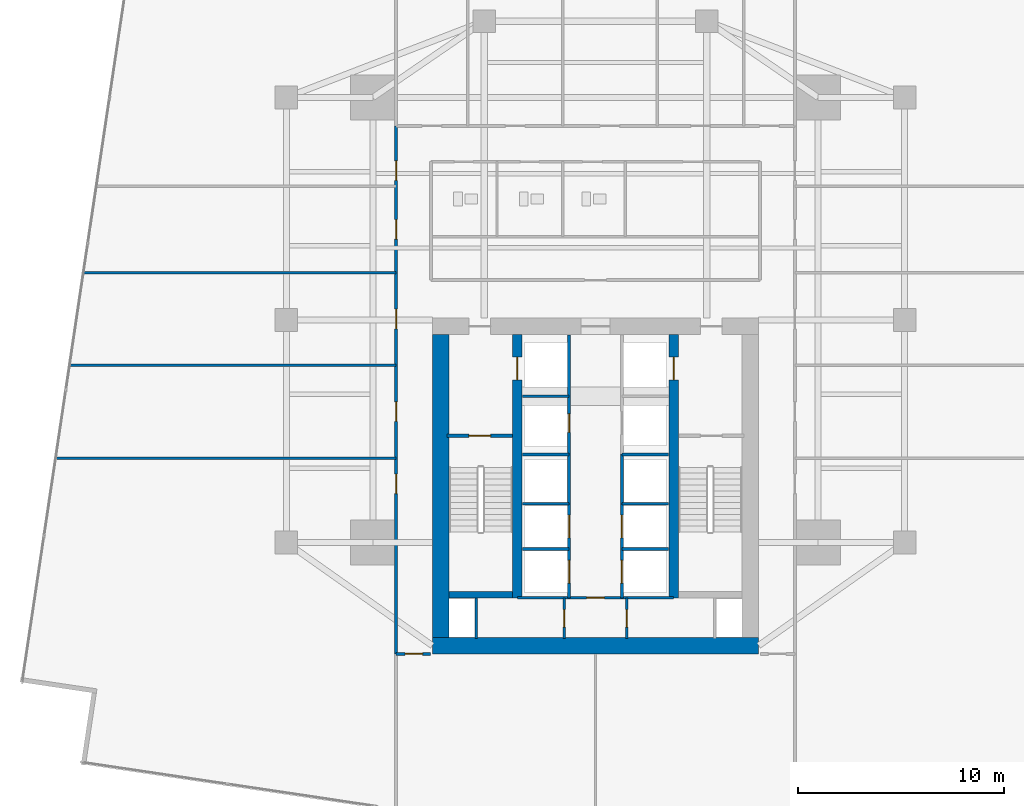
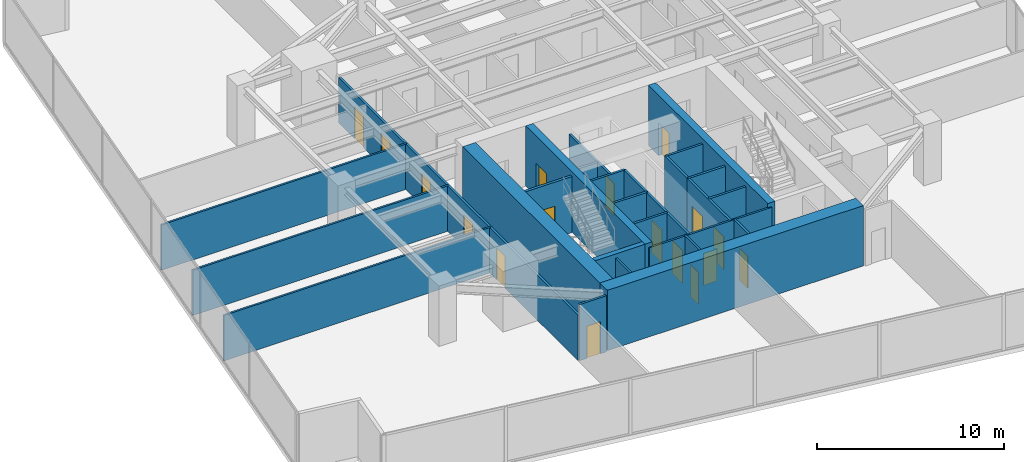
# One storey, part 25 of 29: 27 walls, 17 doors, 17 openings.
"""IFC4 building model written with IfcOpenShell, lengths in metres."""

from ifc_helpers import new_model, si_unit, direction, frame, frame_2d, origin, place, context, subcontext, project, spatial, rectangle, extrude, material, layer, layer_set, type_object, element, fill, save


model = new_model("IFC4")

# Units and contexts
model_context = context("Model", 3, precision=1e-05, world=origin(), true_north=direction((0.0, 1.0)))
body_context = subcontext(model_context, "Body", "Model", "MODEL_VIEW")
ifc_project = project(units=[si_unit("LENGTHUNIT", "METRE"), si_unit("AREAUNIT", "SQUARE_METRE"), si_unit("VOLUMEUNIT", "CUBIC_METRE"), si_unit("PLANEANGLEUNIT", "RADIAN"), si_unit("MASSUNIT", "GRAM", prefix="KILO")], contexts=[model_context])

# Site, building, storey
site_placement = place(None, origin())
site = spatial("IfcSite", under=ifc_project, at=site_placement, CompositionType="ELEMENT")
building_placement = place(site_placement, origin())
building = spatial("IfcBuilding", under=site, at=building_placement, Name="Krantzveldt Concourse Tower", CompositionType="ELEMENT")
storey_placement = place(building_placement, frame((0.0, 0.0, 72.39990234375)))
storey = spatial("IfcBuildingStorey", under=building, at=storey_placement, Name="L17", CompositionType="ELEMENT", Elevation=72.39990234375)

# Wall, opening, door
ifc_material_1 = material(Name="Fire-rated gypsum plasterboard on steel stud", Category="steel")
ifc_layer_1 = layer(ifc_material_1, 0.1201171875, Name="Fire-rated gypsum plasterboard on steel stud", Category="steel")
ifc_layer_set_1 = layer_set([ifc_layer_1], Name="Fire-rated gypsum plasterboard on steel stud (WL-PART-120)")
wall_type_1 = type_object("IfcWallType", Name="WL-PART-120", PredefinedType="PARTITIONING", material=ifc_layer_set_1)
wall_1_placement = place(storey_placement, frame((32.2099609375, 13.219970703125, 0.0), z_axis=(0.0, 0.0, 1.0), x_axis=(1.0, 0.0, 0.0)))
wall_1 = element("IfcWall", 1, at=wall_1_placement, inside=storey, type_object=wall_type_1, Name="WP-L17-CS2H", PredefinedType="PARTITIONING", context=body_context, shape_type="SweptSolid", body=[
    extrude(rectangle(XDim=7.580078125, YDim=0.1201171875, at=frame_2d((3.7900390625, 0.0))), origin(), (0.0, 0.0, 1.0), 3.670166015625),
])
opening_1_placement = place(wall_1_placement, frame((3.364990234375, 0.0, 0.0)))
opening_1 = element("IfcOpeningElement", 2, at=opening_1_placement, cuts=wall_1, Name="Opening D-IN085", PredefinedType="OPENING", context=body_context, shape_type="SweptSolid", body=[
    extrude(rectangle(XDim=0.85009765625, YDim=2.10009765625, at=frame_2d((0.425048828125, 1.050048828125))), frame((0.0, 0.070068359375, 0.0), z_axis=(0.0, -1.0, 0.0), x_axis=(1.0, 0.0, 0.0)), (0.0, 0.0, 1.0), 0.14013671875),
])
ifc_material_2 = material(Name="Hardwood timber", Category="wood")
door_type_1 = type_object("IfcDoorType", Name="DR-INT-850", OperationType="SINGLE_SWING_LEFT", PredefinedType="DOOR", material=ifc_material_2)
door_1_placement = place(opening_1_placement, origin())
door_1 = element("IfcDoor", 3, at=door_1_placement, inside=storey, type_object=door_type_1, Name="DR-L17-LLBS", OperationType="SINGLE_SWING_RIGHT", OverallHeight=2.10009765625, OverallWidth=0.85009765625, PredefinedType="DOOR", context=body_context, shape_type="SweptSolid", body=[
    extrude(rectangle(XDim=0.85009765625, YDim=2.10009765625, at=frame_2d((0.425048828125, 1.050048828125))), frame((0.0, 0.02490234375, 0.0), z_axis=(0.0, -1.0, 0.0), x_axis=(1.0, 0.0, 0.0)), (0.0, 0.0, 1.0), 0.050048828125),
])
fill(opening_1, door_1)

wall_2_placement = place(storey_placement, frame((34.47998046875, 11.25, 0.0), z_axis=(0.0, 0.0, 1.0), x_axis=(0.0, 1.0, 0.0)))
wall_2 = element("IfcWall", 4, at=wall_2_placement, inside=storey, type_object=wall_type_1, Name="WP-L17-CSB-VL", PredefinedType="PARTITIONING", context=body_context, shape_type="SweptSolid", body=[
    extrude(rectangle(XDim=1.969970703125, YDim=0.1201171875, at=frame_2d((0.98486328125, 0.0))), origin(), (0.0, 0.0, 1.0), 3.670166015625),
])
opening_2_placement = place(wall_2_placement, frame((0.544921875, 0.0, 0.0)))
opening_2 = element("IfcOpeningElement", 5, at=opening_2_placement, cuts=wall_2, Name="Opening D-IN085", PredefinedType="OPENING", context=body_context, shape_type="SweptSolid", body=[
    extrude(rectangle(XDim=0.85009765625, YDim=2.10009765625, at=frame_2d((0.425048828125, 1.050048828125))), frame((0.0, 0.070068359375, 0.0), z_axis=(0.0, -1.0, 0.0), x_axis=(1.0, 0.0, 0.0)), (0.0, 0.0, 1.0), 0.14013671875),
])
door_2_placement = place(opening_2_placement, origin())
door_2 = element("IfcDoor", 6, at=door_2_placement, inside=storey, type_object=door_type_1, Name="DR-L17-CSB1", OperationType="SINGLE_SWING_LEFT", OverallHeight=2.10009765625, OverallWidth=0.85009765625, PredefinedType="DOOR", context=body_context, shape_type="SweptSolid", body=[
    extrude(rectangle(XDim=0.85009765625, YDim=2.10009765625, at=frame_2d((0.425048828125, 1.050048828125))), frame((0.0, 0.02490234375, 0.0), z_axis=(0.0, -1.0, 0.0), x_axis=(1.0, 0.0, 0.0)), (0.0, 0.0, 1.0), 0.050048828125),
])
fill(opening_2, door_2)

wall_3_placement = place(storey_placement, frame((37.52001953125, 11.25, 0.0), z_axis=(0.0, 0.0, 1.0), x_axis=(0.0, 1.0, 0.0)))
wall_3 = element("IfcWall", 7, at=wall_3_placement, inside=storey, type_object=wall_type_1, Name="WP-L17-CSB-VR", PredefinedType="PARTITIONING", context=body_context, shape_type="SweptSolid", body=[
    extrude(rectangle(XDim=1.969970703125, YDim=0.1201171875, at=frame_2d((0.98486328125, 0.0))), origin(), (0.0, 0.0, 1.0), 3.670166015625),
])
opening_3_placement = place(wall_3_placement, frame((0.544921875, 0.0, 0.0)))
opening_3 = element("IfcOpeningElement", 8, at=opening_3_placement, cuts=wall_3, Name="Opening D-IN085", PredefinedType="OPENING", context=body_context, shape_type="SweptSolid", body=[
    extrude(rectangle(XDim=0.85009765625, YDim=2.10009765625, at=frame_2d((0.425048828125, 1.050048828125))), frame((0.0, 0.070068359375, 0.0), z_axis=(0.0, -1.0, 0.0), x_axis=(1.0, 0.0, 0.0)), (0.0, 0.0, 1.0), 0.14013671875),
])
door_3_placement = place(opening_3_placement, origin())
door_3 = element("IfcDoor", 9, at=door_3_placement, inside=storey, type_object=door_type_1, Name="DR-L17-CSB2", OperationType="SINGLE_SWING_RIGHT", OverallHeight=2.10009765625, OverallWidth=0.85009765625, PredefinedType="DOOR", context=body_context, shape_type="SweptSolid", body=[
    extrude(rectangle(XDim=0.85009765625, YDim=2.10009765625, at=frame_2d((0.425048828125, 1.050048828125))), frame((0.0, 0.02490234375, 0.0), z_axis=(0.0, -1.0, 0.0), x_axis=(1.0, 0.0, 0.0)), (0.0, 0.0, 1.0), 0.050048828125),
])
fill(opening_3, door_3)

# Walls
wall_4_placement = place(storey_placement, frame((9.81201171875, 20.0, 0.0), z_axis=(0.0, 0.0, 1.0), x_axis=(1.0, 0.0, 0.0)))
element("IfcWall", 10, at=wall_4_placement, inside=storey, type_object=wall_type_1, Name="WP-L17-WD1", PredefinedType="PARTITIONING", context=body_context, shape_type="SweptSolid", body=[
    extrude(rectangle(XDim=16.508056640625, YDim=0.1201171875, at=frame_2d((8.25390625, 0.0))), origin(), (0.0, 0.0, 1.0), 2.97021484375),
])
wall_5_placement = place(storey_placement, frame((10.484619140625, 24.5, 0.0), z_axis=(0.0, 0.0, 1.0), x_axis=(1.0, 0.0, 0.0)))
element("IfcWall", 11, at=wall_5_placement, inside=storey, type_object=wall_type_1, Name="WP-L17-WD2", PredefinedType="PARTITIONING", context=body_context, shape_type="SweptSolid", body=[
    extrude(rectangle(XDim=15.83544921875, YDim=0.1201171875, at=frame_2d((7.917724609375, 0.0))), origin(), (0.0, 0.0, 1.0), 2.97021484375),
])
wall_6_placement = place(storey_placement, frame((11.156982421875, 29.0, 0.0), z_axis=(0.0, 0.0, 1.0), x_axis=(1.0, 0.0, 0.0)))
element("IfcWall", 12, at=wall_6_placement, inside=storey, type_object=wall_type_1, Name="WP-L17-WD3", PredefinedType="PARTITIONING", context=body_context, shape_type="SweptSolid", body=[
    extrude(rectangle(XDim=15.1630859375, YDim=0.1201171875, at=frame_2d((7.58154296875, 0.0))), origin(), (0.0, 0.0, 1.0), 2.97021484375),
])

# Wall, openings, doors
ifc_layer_2 = layer(ifc_material_1, 0.139892578125, Name="Fire-rated gypsum plasterboard on steel stud", Category="steel")
ifc_layer_set_2 = layer_set([ifc_layer_2], Name="Fire-rated gypsum plasterboard on steel stud (WL-PART-140)")
wall_type_2 = type_object("IfcWallType", Name="WL-PART-140", PredefinedType="PARTITIONING", material=ifc_layer_set_2)
wall_7_placement = place(storey_placement, frame((26.320068359375, 10.5, 0.0), z_axis=(0.0, 0.0, 1.0), x_axis=(0.0, 1.0, 0.0)))
wall_7 = element("IfcWall", 13, at=wall_7_placement, inside=storey, type_object=wall_type_2, Name="WP-L17-CWEST", PredefinedType="PARTITIONING", context=body_context, shape_type="SweptSolid", body=[
    extrude(rectangle(XDim=25.6201171875, YDim=0.139892578125, at=frame_2d((12.81005859375, 0.0))), origin(), (0.0, 0.0, 1.0), 2.97021484375),
])
opening_4_placement = place(wall_7_placement, frame((7.77490234375, 0.0, 0.0)))
opening_4 = element("IfcOpeningElement", 14, at=opening_4_placement, cuts=wall_7, Name="Opening D-IN095", PredefinedType="OPENING", context=body_context, shape_type="SweptSolid", body=[
    extrude(rectangle(XDim=0.949951171875, YDim=2.10009765625, at=frame_2d((0.47509765625, 1.050048828125))), frame((0.0, 0.080078125, 0.0), z_axis=(0.0, -1.0, 0.0), x_axis=(1.0, 0.0, 0.0)), (0.0, 0.0, 1.0), 0.159912109375),
])
opening_5_placement = place(wall_7_placement, frame((11.27490234375, 0.0, 0.0)))
opening_5 = element("IfcOpeningElement", 15, at=opening_5_placement, cuts=wall_7, Name="Opening D-IN095", PredefinedType="OPENING", context=body_context, shape_type="SweptSolid", body=[
    extrude(rectangle(XDim=0.949951171875, YDim=2.10009765625, at=frame_2d((0.47509765625, 1.050048828125))), frame((0.0, 0.080078125, 0.0), z_axis=(0.0, -1.0, 0.0), x_axis=(1.0, 0.0, 0.0)), (0.0, 0.0, 1.0), 0.159912109375),
])
opening_6_placement = place(wall_7_placement, frame((15.77490234375, 0.0, 0.0)))
opening_6 = element("IfcOpeningElement", 16, at=opening_6_placement, cuts=wall_7, Name="Opening D-IN095", PredefinedType="OPENING", context=body_context, shape_type="SweptSolid", body=[
    extrude(rectangle(XDim=0.949951171875, YDim=2.10009765625, at=frame_2d((0.47509765625, 1.050048828125))), frame((0.0, 0.080078125, 0.0), z_axis=(0.0, -1.0, 0.0), x_axis=(1.0, 0.0, 0.0)), (0.0, 0.0, 1.0), 0.159912109375),
])
opening_7_placement = place(wall_7_placement, frame((20.125, 0.0, 0.0)))
opening_7 = element("IfcOpeningElement", 17, at=opening_7_placement, cuts=wall_7, Name="Opening D-IN095", PredefinedType="OPENING", context=body_context, shape_type="SweptSolid", body=[
    extrude(rectangle(XDim=0.949951171875, YDim=2.10009765625, at=frame_2d((0.47509765625, 1.050048828125))), frame((0.0, 0.080078125, 0.0), z_axis=(0.0, -1.0, 0.0), x_axis=(1.0, 0.0, 0.0)), (0.0, 0.0, 1.0), 0.159912109375),
])
opening_8_placement = place(wall_7_placement, frame((22.97509765625, 0.0, 0.0)))
opening_8 = element("IfcOpeningElement", 18, at=opening_8_placement, cuts=wall_7, Name="Opening D-IN095", PredefinedType="OPENING", context=body_context, shape_type="SweptSolid", body=[
    extrude(rectangle(XDim=0.949951171875, YDim=2.10009765625, at=frame_2d((0.47509765625, 1.050048828125))), frame((0.0, 0.080078125, 0.0), z_axis=(0.0, -1.0, 0.0), x_axis=(1.0, 0.0, 0.0)), (0.0, 0.0, 1.0), 0.159912109375),
])
door_type_2 = type_object("IfcDoorType", Name="DR-INT-950", OperationType="SINGLE_SWING_LEFT", PredefinedType="DOOR", material=ifc_material_2)
door_4_placement = place(opening_4_placement, origin())
door_4 = element("IfcDoor", 19, at=door_4_placement, inside=storey, type_object=door_type_2, Name="DR-L17-WR1", OperationType="SINGLE_SWING_LEFT", OverallHeight=2.10009765625, OverallWidth=0.949951171875, PredefinedType="DOOR", context=body_context, shape_type="SweptSolid", body=[
    extrude(rectangle(XDim=0.949951171875, YDim=2.10009765625, at=frame_2d((0.47509765625, 1.050048828125))), frame((0.0, 0.02490234375, 0.0), z_axis=(0.0, -1.0, 0.0), x_axis=(1.0, 0.0, 0.0)), (0.0, 0.0, 1.0), 0.050048828125),
])
fill(opening_4, door_4)
door_5_placement = place(opening_5_placement, origin())
door_5 = element("IfcDoor", 20, at=door_5_placement, inside=storey, type_object=door_type_2, Name="DR-L17-WR2", OperationType="SINGLE_SWING_LEFT", OverallHeight=2.10009765625, OverallWidth=0.949951171875, PredefinedType="DOOR", context=body_context, shape_type="SweptSolid", body=[
    extrude(rectangle(XDim=0.949951171875, YDim=2.10009765625, at=frame_2d((0.47509765625, 1.050048828125))), frame((0.0, 0.02490234375, 0.0), z_axis=(0.0, -1.0, 0.0), x_axis=(1.0, 0.0, 0.0)), (0.0, 0.0, 1.0), 0.050048828125),
])
fill(opening_5, door_5)
door_6_placement = place(opening_6_placement, origin())
door_6 = element("IfcDoor", 21, at=door_6_placement, inside=storey, type_object=door_type_2, Name="DR-L17-WR3", OperationType="SINGLE_SWING_LEFT", OverallHeight=2.10009765625, OverallWidth=0.949951171875, PredefinedType="DOOR", context=body_context, shape_type="SweptSolid", body=[
    extrude(rectangle(XDim=0.949951171875, YDim=2.10009765625, at=frame_2d((0.47509765625, 1.050048828125))), frame((0.0, 0.02490234375, 0.0), z_axis=(0.0, -1.0, 0.0), x_axis=(1.0, 0.0, 0.0)), (0.0, 0.0, 1.0), 0.050048828125),
])
fill(opening_6, door_6)
door_7_placement = place(opening_7_placement, origin())
door_7 = element("IfcDoor", 22, at=door_7_placement, inside=storey, type_object=door_type_2, Name="DR-L17-WR4", OperationType="SINGLE_SWING_LEFT", OverallHeight=2.10009765625, OverallWidth=0.949951171875, PredefinedType="DOOR", context=body_context, shape_type="SweptSolid", body=[
    extrude(rectangle(XDim=0.949951171875, YDim=2.10009765625, at=frame_2d((0.47509765625, 1.050048828125))), frame((0.0, 0.02490234375, 0.0), z_axis=(0.0, -1.0, 0.0), x_axis=(1.0, 0.0, 0.0)), (0.0, 0.0, 1.0), 0.050048828125),
])
fill(opening_7, door_7)
door_8_placement = place(opening_8_placement, origin())
door_8 = element("IfcDoor", 23, at=door_8_placement, inside=storey, type_object=door_type_2, Name="DR-L17-WR5", OperationType="SINGLE_SWING_LEFT", OverallHeight=2.10009765625, OverallWidth=0.949951171875, PredefinedType="DOOR", context=body_context, shape_type="SweptSolid", body=[
    extrude(rectangle(XDim=0.949951171875, YDim=2.10009765625, at=frame_2d((0.47509765625, 1.050048828125))), frame((0.0, 0.02490234375, 0.0), z_axis=(0.0, -1.0, 0.0), x_axis=(1.0, 0.0, 0.0)), (0.0, 0.0, 1.0), 0.050048828125),
])
fill(opening_8, door_8)

# Wall, opening, door
wall_8_placement = place(storey_placement, frame((26.320068359375, 10.5, 0.0), z_axis=(0.0, 0.0, 1.0), x_axis=(1.0, 0.0, 0.0)))
wall_8 = element("IfcWall", 24, at=wall_8_placement, inside=storey, type_object=wall_type_2, Name="WP-L17-CWBOT", PredefinedType="PARTITIONING", context=body_context, shape_type="SweptSolid", body=[
    extrude(rectangle(XDim=1.679931640625, YDim=0.139892578125, at=frame_2d((0.83984375, 0.0))), origin(), (0.0, 0.0, 1.0), 3.670166015625),
])
opening_9_placement = place(wall_8_placement, frame((0.445068359375, 0.0, 0.0)))
opening_9 = element("IfcOpeningElement", 25, at=opening_9_placement, cuts=wall_8, Name="Opening D-IN085", PredefinedType="OPENING", context=body_context, shape_type="SweptSolid", body=[
    extrude(rectangle(XDim=0.85009765625, YDim=2.10009765625, at=frame_2d((0.425048828125, 1.050048828125))), frame((0.0, 0.080078125, 0.0), z_axis=(0.0, -1.0, 0.0), x_axis=(1.0, 0.0, 0.0)), (0.0, 0.0, 1.0), 0.159912109375),
])
door_9_placement = place(opening_9_placement, origin())
door_9 = element("IfcDoor", 26, at=door_9_placement, inside=storey, type_object=door_type_1, Name="DR-L17-SR1", OperationType="SINGLE_SWING_LEFT", OverallHeight=2.10009765625, OverallWidth=0.85009765625, PredefinedType="DOOR", context=body_context, shape_type="SweptSolid", body=[
    extrude(rectangle(XDim=0.85009765625, YDim=2.10009765625, at=frame_2d((0.425048828125, 1.050048828125))), frame((0.0, 0.02490234375, 0.0), z_axis=(0.0, -1.0, 0.0), x_axis=(1.0, 0.0, 0.0)), (0.0, 0.0, 1.0), 0.050048828125),
])
fill(opening_9, door_9)

ifc_layer_3 = layer(ifc_material_1, 0.139892578125, Name="Fire-rated gypsum plasterboard on steel stud", Category="steel")
ifc_layer_set_3 = layer_set([ifc_layer_3], Name="Fire-rated gypsum plasterboard on steel stud (WL-PART-FR140)")
wall_type_3 = type_object("IfcWallType", Name="WL-PART-FR140", PredefinedType="PARTITIONING", material=ifc_layer_set_3)
wall_9_placement = place(storey_placement, frame((34.719970703125, 20.199951171875, 0.0), z_axis=(0.0, 0.0, 1.0), x_axis=(0.0, 1.0, 0.0)))
wall_9 = element("IfcWall", 27, at=wall_9_placement, inside=storey, type_object=wall_type_3, Name="WP-L17-SHNW", PredefinedType="PARTITIONING", context=body_context, shape_type="SweptSolid", body=[
    extrude(rectangle(XDim=5.780029296875, YDim=0.139892578125, at=frame_2d((2.89013671875, 0.0))), origin(), (0.0, 0.0, 1.0), 2.47021484375),
])
opening_10_placement = place(wall_9_placement, frame((1.050048828125, 0.0, 0.0)))
opening_10 = element("IfcOpeningElement", 28, at=opening_10_placement, cuts=wall_9, Name="Opening D-FD090", PredefinedType="OPENING", context=body_context, shape_type="SweptSolid", body=[
    extrude(rectangle(XDim=0.89990234375, YDim=2.10009765625, at=frame_2d((0.449951171875, 1.050048828125))), frame((0.0, 0.080078125, 0.0), z_axis=(0.0, -1.0, 0.0), x_axis=(1.0, 0.0, 0.0)), (0.0, 0.0, 1.0), 0.159912109375),
])
door_type_3 = type_object("IfcDoorType", Name="DR-FD60-900", OperationType="SINGLE_SWING_LEFT", PredefinedType="DOOR", material=ifc_material_2)
door_10_placement = place(opening_10_placement, origin())
door_10 = element("IfcDoor", 29, at=door_10_placement, inside=storey, type_object=door_type_3, Name="Electrical Riser Access Door L17", OperationType="SINGLE_SWING_LEFT", OverallHeight=2.10009765625, OverallWidth=0.89990234375, PredefinedType="DOOR", context=body_context, shape_type="SweptSolid", body=[
    extrude(rectangle(XDim=0.89990234375, YDim=2.10009765625, at=frame_2d((0.449951171875, 1.050048828125))), frame((0.0, 0.02490234375, 0.0), z_axis=(0.0, -1.0, 0.0), x_axis=(1.0, 0.0, 0.0)), (0.0, 0.0, 1.0), 0.050048828125),
])
fill(opening_10, door_10)

# Walls
wall_10_placement = place(storey_placement, frame((32.449951171875, 23.0, 0.0), z_axis=(0.0, 0.0, 1.0), x_axis=(1.0, 0.0, 0.0)))
element("IfcWall", 30, at=wall_10_placement, inside=storey, type_object=wall_type_3, Name="WP-L17-RISH", PredefinedType="PARTITIONING", context=body_context, shape_type="SweptSolid", body=[
    extrude(rectangle(XDim=2.27001953125, YDim=0.139892578125, at=frame_2d((1.135009765625, 0.0))), origin(), (0.0, 0.0, 1.0), 2.47021484375),
])
for number, where, z_axis, x_axis, name in (
    (31, (34.719970703125, 17.780029296875, 0.0), (0.0, 0.0, 1.0), (0.0, 1.0, 0.0), "WP-L17-SHNW2"),
    (32, (37.280029296875, 17.780029296875, 0.0), (0.0, 0.0, 1.0), (0.0, 1.0, 0.0), "WP-L17-SHNE2"),
):
    element("IfcWall", number, at=place(storey_placement, frame(where, z_axis=z_axis, x_axis=x_axis)), inside=storey, type_object=wall_type_3, Name=name, PredefinedType="PARTITIONING", context=body_context, shape_type="SweptSolid", body=[
        extrude(rectangle(XDim=2.419921875, YDim=0.139892578125, at=frame_2d((1.2099609375, 0.0))), origin(), (0.0, 0.0, 1.0), 3.670166015625),
    ])
for number, where, z_axis, x_axis, name in (
    (33, (32.449951171875, 17.780029296875, 0.0), (0.0, 0.0, 1.0), (1.0, 0.0, 0.0), "WP-L17-DIVW2"),
    (34, (32.449951171875, 20.179931640625, 0.0), (0.0, 0.0, 1.0), (1.0, 0.0, 0.0), "WP-L17-DIVW3"),
    (35, (37.280029296875, 17.780029296875, 0.0), (0.0, 0.0, 1.0), (1.0, 0.0, 0.0), "WP-L17-DIVE2"),
    (36, (37.280029296875, 20.179931640625, 0.0), (0.0, 0.0, 1.0), (1.0, 0.0, 0.0), "WP-L17-DIVE3"),
):
    element("IfcWall", number, at=place(storey_placement, frame(where, z_axis=z_axis, x_axis=x_axis)), inside=storey, type_object=wall_type_3, Name=name, PredefinedType="PARTITIONING", context=body_context, shape_type="SweptSolid", body=[
        extrude(rectangle(XDim=2.27001953125, YDim=0.139892578125, at=frame_2d((1.135009765625, 0.0))), origin(), (0.0, 0.0, 1.0), 3.670166015625),
    ])

# Wall, openings, doors
wall_11_placement = place(storey_placement, frame((34.719970703125, 13.219970703125, 0.0), z_axis=(0.0, 0.0, 1.0), x_axis=(0.0, 1.0, 0.0)))
wall_11 = element("IfcWall", 37, at=wall_11_placement, inside=storey, type_object=wall_type_3, Name="WP-L17-SHSW", PredefinedType="PARTITIONING", context=body_context, shape_type="SweptSolid", body=[
    extrude(rectangle(XDim=4.56005859375, YDim=0.139892578125, at=frame_2d((2.280029296875, 0.0))), origin(), (0.0, 0.0, 1.0), 3.670166015625),
])
opening_11_placement = place(wall_11_placement, frame((0.7099609375, 0.0, 0.0)))
opening_11 = element("IfcOpeningElement", 38, at=opening_11_placement, cuts=wall_11, Name="Opening LD", PredefinedType="OPENING", context=body_context, shape_type="SweptSolid", body=[
    extrude(rectangle(XDim=1.10009765625, YDim=2.14990234375, at=frame_2d((0.550048828125, 1.074951171875))), frame((0.0, 0.080078125, 0.0), z_axis=(0.0, -1.0, 0.0), x_axis=(1.0, 0.0, 0.0)), (0.0, 0.0, 1.0), 0.159912109375),
])
opening_12_placement = place(wall_11_placement, frame((2.909912109375, 0.0, 0.0)))
opening_12 = element("IfcOpeningElement", 39, at=opening_12_placement, cuts=wall_11, Name="Opening LD", PredefinedType="OPENING", context=body_context, shape_type="SweptSolid", body=[
    extrude(rectangle(XDim=1.10009765625, YDim=2.14990234375, at=frame_2d((0.550048828125, 1.074951171875))), frame((0.0, 0.080078125, 0.0), z_axis=(0.0, -1.0, 0.0), x_axis=(1.0, 0.0, 0.0)), (0.0, 0.0, 1.0), 0.159912109375),
])
ifc_material_3 = material(Name="Stainless steel 316L", Category="steel")
door_type_4 = type_object("IfcDoorType", Name="DR-SLIDE-LD1100", OperationType="DOUBLE_DOOR_SLIDING", PredefinedType="DOOR", material=ifc_material_3)
door_11_placement = place(opening_11_placement, origin())
door_11 = element("IfcDoor", 40, at=door_11_placement, inside=storey, type_object=door_type_4, Name="LD-L17-PL1", OperationType="DOUBLE_DOOR_SLIDING", OverallHeight=2.14990234375, OverallWidth=1.10009765625, PredefinedType="DOOR", context=body_context, shape_type="SweptSolid", body=[
    extrude(rectangle(XDim=1.10009765625, YDim=2.14990234375, at=frame_2d((0.550048828125, 1.074951171875))), frame((0.0, 0.02490234375, 0.0), z_axis=(0.0, -1.0, 0.0), x_axis=(1.0, 0.0, 0.0)), (0.0, 0.0, 1.0), 0.050048828125),
])
fill(opening_11, door_11)
door_12_placement = place(opening_12_placement, origin())
door_12 = element("IfcDoor", 41, at=door_12_placement, inside=storey, type_object=door_type_4, Name="LD-L17-PL2", OperationType="DOUBLE_DOOR_SLIDING", OverallHeight=2.14990234375, OverallWidth=1.10009765625, PredefinedType="DOOR", context=body_context, shape_type="SweptSolid", body=[
    extrude(rectangle(XDim=1.10009765625, YDim=2.14990234375, at=frame_2d((0.550048828125, 1.074951171875))), frame((0.0, 0.02490234375, 0.0), z_axis=(0.0, -1.0, 0.0), x_axis=(1.0, 0.0, 0.0)), (0.0, 0.0, 1.0), 0.050048828125),
])
fill(opening_12, door_12)

# Wall
wall_12_placement = place(storey_placement, frame((32.449951171875, 15.580078125, 0.0), z_axis=(0.0, 0.0, 1.0), x_axis=(1.0, 0.0, 0.0)))
element("IfcWall", 42, at=wall_12_placement, inside=storey, type_object=wall_type_3, Name="WP-L17-DIVW1", PredefinedType="PARTITIONING", context=body_context, shape_type="SweptSolid", body=[
    extrude(rectangle(XDim=2.27001953125, YDim=0.139892578125, at=frame_2d((1.135009765625, 0.0))), origin(), (0.0, 0.0, 1.0), 3.670166015625),
])

# Wall, openings, doors
wall_13_placement = place(storey_placement, frame((37.280029296875, 13.219970703125, 0.0), z_axis=(0.0, 0.0, 1.0), x_axis=(0.0, 1.0, 0.0)))
wall_13 = element("IfcWall", 43, at=wall_13_placement, inside=storey, type_object=wall_type_3, Name="WP-L17-SHSE", PredefinedType="PARTITIONING", context=body_context, shape_type="SweptSolid", body=[
    extrude(rectangle(XDim=4.56005859375, YDim=0.139892578125, at=frame_2d((2.280029296875, 0.0))), origin(), (0.0, 0.0, 1.0), 3.670166015625),
])
opening_13_placement = place(wall_13_placement, frame((0.7099609375, 0.0, 0.0)))
opening_13 = element("IfcOpeningElement", 44, at=opening_13_placement, cuts=wall_13, Name="Opening LD", PredefinedType="OPENING", context=body_context, shape_type="SweptSolid", body=[
    extrude(rectangle(XDim=1.10009765625, YDim=2.14990234375, at=frame_2d((0.550048828125, 1.074951171875))), frame((0.0, 0.080078125, 0.0), z_axis=(0.0, -1.0, 0.0), x_axis=(1.0, 0.0, 0.0)), (0.0, 0.0, 1.0), 0.159912109375),
])
opening_14_placement = place(wall_13_placement, frame((2.909912109375, 0.0, 0.0)))
opening_14 = element("IfcOpeningElement", 45, at=opening_14_placement, cuts=wall_13, Name="Opening LD", PredefinedType="OPENING", context=body_context, shape_type="SweptSolid", body=[
    extrude(rectangle(XDim=1.10009765625, YDim=2.14990234375, at=frame_2d((0.550048828125, 1.074951171875))), frame((0.0, 0.080078125, 0.0), z_axis=(0.0, -1.0, 0.0), x_axis=(1.0, 0.0, 0.0)), (0.0, 0.0, 1.0), 0.159912109375),
])
door_13_placement = place(opening_13_placement, origin())
door_13 = element("IfcDoor", 46, at=door_13_placement, inside=storey, type_object=door_type_4, Name="LD-L17-PM1", OperationType="DOUBLE_DOOR_SLIDING", OverallHeight=2.14990234375, OverallWidth=1.10009765625, PredefinedType="DOOR", context=body_context, shape_type="SweptSolid", body=[
    extrude(rectangle(XDim=1.10009765625, YDim=2.14990234375, at=frame_2d((0.550048828125, 1.074951171875))), frame((0.0, 0.02490234375, 0.0), z_axis=(0.0, -1.0, 0.0), x_axis=(1.0, 0.0, 0.0)), (0.0, 0.0, 1.0), 0.050048828125),
])
fill(opening_13, door_13)
door_14_placement = place(opening_14_placement, origin())
door_14 = element("IfcDoor", 47, at=door_14_placement, inside=storey, type_object=door_type_4, Name="LD-L17-PM2", OperationType="DOUBLE_DOOR_SLIDING", OverallHeight=2.14990234375, OverallWidth=1.10009765625, PredefinedType="DOOR", context=body_context, shape_type="SweptSolid", body=[
    extrude(rectangle(XDim=1.10009765625, YDim=2.14990234375, at=frame_2d((0.550048828125, 1.074951171875))), frame((0.0, 0.02490234375, 0.0), z_axis=(0.0, -1.0, 0.0), x_axis=(1.0, 0.0, 0.0)), (0.0, 0.0, 1.0), 0.050048828125),
])
fill(opening_14, door_14)

# Walls
wall_14_placement = place(storey_placement, frame((37.280029296875, 15.580078125, 0.0), z_axis=(0.0, 0.0, 1.0), x_axis=(1.0, 0.0, 0.0)))
element("IfcWall", 48, at=wall_14_placement, inside=storey, type_object=wall_type_3, Name="WP-L17-DIVE1", PredefinedType="PARTITIONING", context=body_context, shape_type="SweptSolid", body=[
    extrude(rectangle(XDim=2.27001953125, YDim=0.139892578125, at=frame_2d((1.135009765625, 0.0))), origin(), (0.0, 0.0, 1.0), 3.670166015625),
])
wall_15_placement = place(storey_placement, frame((30.219970703125, 11.25, 0.0), z_axis=(0.0, 0.0, 1.0), x_axis=(0.0, 1.0, 0.0)))
element("IfcWall", 49, at=wall_15_placement, inside=storey, type_object=wall_type_3, Name="WP-L17-RSW", PredefinedType="PARTITIONING", context=body_context, shape_type="SweptSolid", body=[
    extrude(rectangle(XDim=1.969970703125, YDim=0.1201171875, at=frame_2d((0.98486328125, 0.0))), origin(), (0.0, 0.0, 1.0), 3.670166015625),
])

# Wall, opening, door
ifc_layer_4 = layer(ifc_material_1, 0.159912109375, Name="Fire-rated gypsum plasterboard on steel stud", Category="steel")
ifc_layer_set_4 = layer_set([ifc_layer_4], Name="Fire-rated gypsum plasterboard on steel stud (WL-PART-FR160)")
wall_type_4 = type_object("IfcWallType", Name="WL-PART-FR160", PredefinedType="PARTITIONING", material=ifc_layer_set_4)
wall_16_placement = place(storey_placement, frame((28.800048828125, 21.080078125, 0.0), z_axis=(0.0, 0.0, 1.0), x_axis=(1.0, 0.0, 0.0)))
wall_16 = element("IfcWall", 50, at=wall_16_placement, inside=storey, type_object=wall_type_4, Name="WP-L17-ST1", PredefinedType="PARTITIONING", context=body_context, shape_type="SweptSolid", body=[
    extrude(rectangle(XDim=3.159912109375, YDim=0.159912109375, at=frame_2d((1.580078125, 0.0))), origin(), (0.0, 0.0, 1.0), 3.670166015625),
])
opening_15_placement = place(wall_16_placement, frame((1.054931640625, 0.0, 0.0)))
opening_15 = element("IfcOpeningElement", 51, at=opening_15_placement, cuts=wall_16, Name="Opening D-FD105", PredefinedType="OPENING", context=body_context, shape_type="SweptSolid", body=[
    extrude(rectangle(XDim=1.050048828125, YDim=2.10009765625, at=frame_2d((0.52490234375, 1.050048828125))), frame((0.0, 0.08984375, 0.0), z_axis=(0.0, -1.0, 0.0), x_axis=(1.0, 0.0, 0.0)), (0.0, 0.0, 1.0), 0.179931640625),
])
ifc_material_4 = material(Name="Galvanised steel", Category="steel")
door_type_5 = type_object("IfcDoorType", Name="DR-FD120-1050", OperationType="SINGLE_SWING_LEFT", PredefinedType="DOOR", material=ifc_material_4)
door_15_placement = place(opening_15_placement, origin())
door_15 = element("IfcDoor", 52, at=door_15_placement, inside=storey, type_object=door_type_5, Name="DR-L17-ST1", OperationType="SINGLE_SWING_RIGHT", OverallHeight=2.10009765625, OverallWidth=1.050048828125, PredefinedType="DOOR", context=body_context, shape_type="SweptSolid", body=[
    extrude(rectangle(XDim=1.050048828125, YDim=2.10009765625, at=frame_2d((0.52490234375, 1.050048828125))), frame((0.0, 0.02490234375, 0.0), z_axis=(0.0, -1.0, 0.0), x_axis=(1.0, 0.0, 0.0)), (0.0, 0.0, 1.0), 0.050048828125),
])
fill(opening_15, door_15)

# Wall
ifc_material_5 = material(Name="Concrete C50/60", Category="concrete")
ifc_layer_5 = layer(ifc_material_5, 0.300048828125, Name="Concrete C50/60", Category="concrete")
ifc_layer_set_5 = layer_set([ifc_layer_5], Name="Concrete C50/60 (WL-SHEAR-300)")
wall_type_5 = type_object("IfcWallType", Name="WL-SHEAR-300", PredefinedType="SHEAR", material=ifc_layer_set_5)
wall_17_placement = place(storey_placement, frame((28.8798828125, 13.3701171875, 0.0), z_axis=(0.0, 0.0, 1.0), x_axis=(1.0, 0.0, 0.0)))
element("IfcWall", 53, at=wall_17_placement, inside=storey, type_object=wall_type_5, Name="CW-L17-ST1S", PredefinedType="SHEAR", context=body_context, shape_type="SweptSolid", body=[
    extrude(rectangle(XDim=3.10009765625, YDim=0.300048828125, at=frame_2d((1.550048828125, 0.0))), origin(), (0.0, 0.0, 1.0), 3.9501953125),
])

# Wall, opening, door
ifc_layer_6 = layer(ifc_material_5, 0.449951171875, Name="Concrete C50/60", Category="concrete")
ifc_layer_set_6 = layer_set([ifc_layer_6], Name="Concrete C50/60 (WL-SHEAR-450)")
wall_type_6 = type_object("IfcWallType", Name="WL-SHEAR-450", PredefinedType="SHEAR", material=ifc_layer_set_6)
wall_18_placement = place(storey_placement, frame((32.205078125, 13.219970703125, 0.0), z_axis=(0.0, 0.0, 1.0), x_axis=(0.0, 1.0, 0.0)))
wall_18 = element("IfcWall", 54, at=wall_18_placement, inside=storey, type_object=wall_type_6, Name="CW-L17-IW", PredefinedType="SHEAR", context=body_context, shape_type="SweptSolid", body=[
    extrude(rectangle(XDim=12.780029296875, YDim=0.449951171875, at=frame_2d((6.39013671875, 0.0))), origin(), (0.0, 0.0, 1.0), 3.9501953125),
])
opening_16_placement = place(wall_18_placement, frame((10.580078125, 0.0, 0.0)))
opening_16 = element("IfcOpeningElement", 55, at=opening_16_placement, cuts=wall_18, Name="Opening LD", PredefinedType="OPENING", context=body_context, shape_type="SweptSolid", body=[
    extrude(rectangle(XDim=1.10009765625, YDim=2.14990234375, at=frame_2d((0.550048828125, 1.074951171875))), frame((0.0, 0.23486328125, 0.0), z_axis=(0.0, -1.0, 0.0), x_axis=(1.0, 0.0, 0.0)), (0.0, 0.0, 1.0), 0.469970703125),
])
door_16_placement = place(opening_16_placement, origin())
door_16 = element("IfcDoor", 56, at=door_16_placement, inside=storey, type_object=door_type_4, Name="LD-L17-FL1", OperationType="DOUBLE_DOOR_SLIDING", OverallHeight=2.14990234375, OverallWidth=1.10009765625, PredefinedType="DOOR", context=body_context, shape_type="SweptSolid", body=[
    extrude(rectangle(XDim=1.10009765625, YDim=2.14990234375, at=frame_2d((0.550048828125, 1.074951171875))), frame((0.0, 0.02490234375, 0.0), z_axis=(0.0, -1.0, 0.0), x_axis=(1.0, 0.0, 0.0)), (0.0, 0.0, 1.0), 0.050048828125),
])
fill(opening_16, door_16)

wall_19_placement = place(storey_placement, frame((39.794921875, 13.219970703125, 0.0), z_axis=(0.0, 0.0, 1.0), x_axis=(0.0, 1.0, 0.0)))
wall_19 = element("IfcWall", 57, at=wall_19_placement, inside=storey, type_object=wall_type_6, Name="CW-L17-IE", PredefinedType="SHEAR", context=body_context, shape_type="SweptSolid", body=[
    extrude(rectangle(XDim=12.780029296875, YDim=0.449951171875, at=frame_2d((6.39013671875, 0.0))), origin(), (0.0, 0.0, 1.0), 3.9501953125),
])
opening_17_placement = place(wall_19_placement, frame((10.580078125, 0.0, 0.0)))
opening_17 = element("IfcOpeningElement", 58, at=opening_17_placement, cuts=wall_19, Name="Opening LD", PredefinedType="OPENING", context=body_context, shape_type="SweptSolid", body=[
    extrude(rectangle(XDim=1.10009765625, YDim=2.14990234375, at=frame_2d((0.550048828125, 1.074951171875))), frame((0.0, 0.23486328125, 0.0), z_axis=(0.0, -1.0, 0.0), x_axis=(1.0, 0.0, 0.0)), (0.0, 0.0, 1.0), 0.469970703125),
])
door_17_placement = place(opening_17_placement, origin())
door_17 = element("IfcDoor", 59, at=door_17_placement, inside=storey, type_object=door_type_4, Name="LD-L17-FL2", OperationType="DOUBLE_DOOR_SLIDING", OverallHeight=2.14990234375, OverallWidth=1.10009765625, PredefinedType="DOOR", context=body_context, shape_type="SweptSolid", body=[
    extrude(rectangle(XDim=1.10009765625, YDim=2.14990234375, at=frame_2d((0.550048828125, 1.074951171875))), frame((0.0, 0.02490234375, 0.0), z_axis=(0.0, -1.0, 0.0), x_axis=(1.0, 0.0, 0.0)), (0.0, 0.0, 1.0), 0.050048828125),
])
fill(opening_17, door_17)

# Walls
ifc_material_6 = material(Name="Concrete C60/75", Category="concrete")
ifc_layer_7 = layer(ifc_material_6, 0.800048828125, Name="Concrete C60/75", Category="concrete")
ifc_layer_set_7 = layer_set([ifc_layer_7], Name="Concrete C60/75 (WL-SHEAR-800)")
wall_type_7 = type_object("IfcWallType", Name="WL-SHEAR-800", PredefinedType="SHEAR", material=ifc_layer_set_7)
wall_20_placement = place(storey_placement, frame((28.080078125, 10.89990234375, 0.0), z_axis=(0.0, 0.0, 1.0), x_axis=(1.0, 0.0, 0.0)))
element("IfcWall", 60, at=wall_20_placement, inside=storey, type_object=wall_type_7, Name="CW-L17-S", PredefinedType="SHEAR", context=body_context, shape_type="SweptSolid", body=[
    extrude(rectangle(XDim=15.83984375, YDim=0.800048828125, at=frame_2d((7.919921875, 0.0))), origin(), (0.0, 0.0, 1.0), 3.9501953125),
])
wall_21_placement = place(storey_placement, frame((28.47998046875, 11.300048828125, 0.0), z_axis=(0.0, 0.0, 1.0), x_axis=(0.0, 1.0, 0.0)))
element("IfcWall", 61, at=wall_21_placement, inside=storey, type_object=wall_type_7, Name="CW-L17-W", PredefinedType="SHEAR", context=body_context, shape_type="SweptSolid", body=[
    extrude(rectangle(XDim=14.699951171875, YDim=0.800048828125, at=frame_2d((7.35009765625, 0.0))), origin(), (0.0, 0.0, 1.0), 3.9501953125),
])

save(model, "model.ifc")
